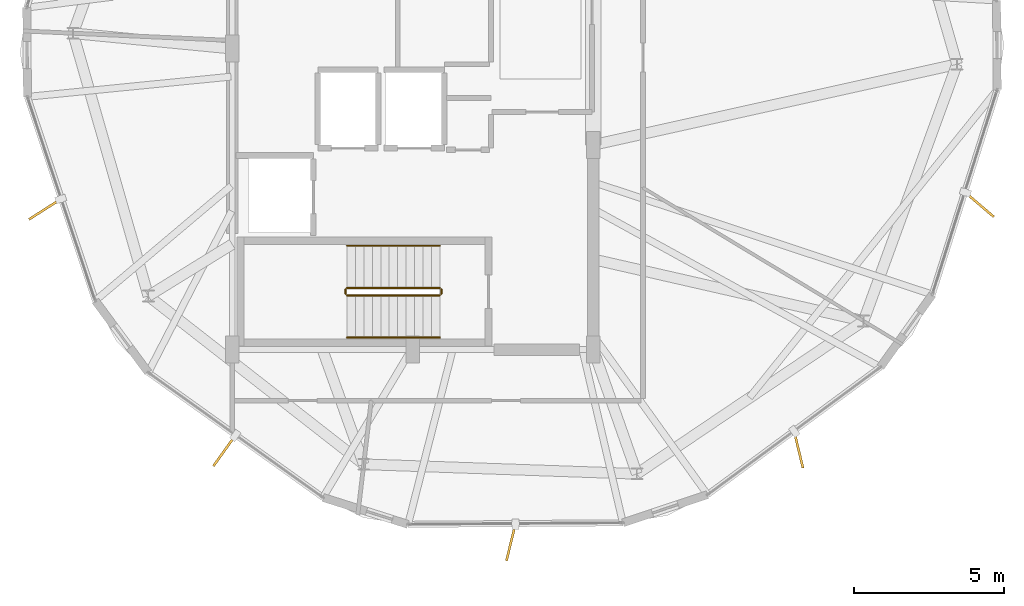
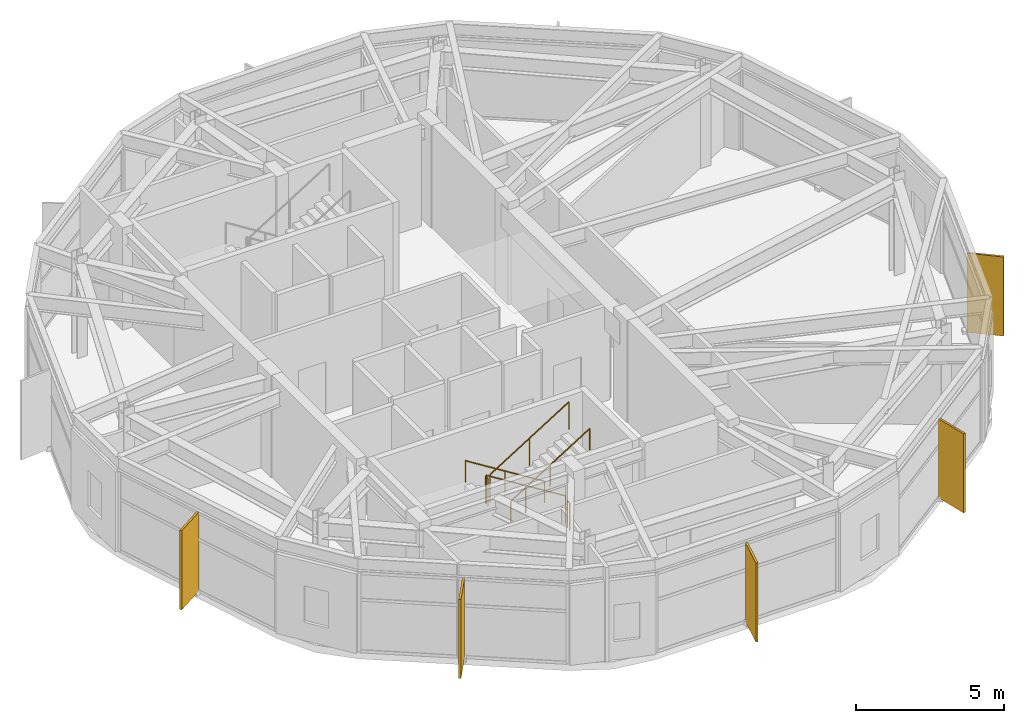
# One storey, part 20 of 22: 6 railings, 5 shading devices.
"""IFC4 building model written with IfcOpenShell, lengths in metres."""

from ifc_helpers import new_model, si_unit, direction, frame, origin, origin_2d, place, context, subcontext, project, spatial, rectangle, circle, extrude, material, layer, layer_set, type_object, element, save


model = new_model("IFC4")

# Units and contexts
model_context = context("Model", 3, precision=1e-05, world=origin(), true_north=direction((0.0, 1.0)))
body_context = subcontext(model_context, "Body", "Model", "MODEL_VIEW")
ifc_project = project(units=[si_unit("LENGTHUNIT", "METRE"), si_unit("AREAUNIT", "SQUARE_METRE"), si_unit("VOLUMEUNIT", "CUBIC_METRE"), si_unit("PLANEANGLEUNIT", "RADIAN"), si_unit("MASSUNIT", "GRAM", prefix="KILO")], contexts=[model_context])

# Site, building, storey
site_placement = place(None, origin())
site = spatial("IfcSite", under=ifc_project, at=site_placement, CompositionType="ELEMENT")
building_placement = place(site_placement, origin())
building = spatial("IfcBuilding", under=site, at=building_placement, Name="Soratama Intermodal Tower", CompositionType="ELEMENT")
storey_placement = place(building_placement, frame((0.0, 0.0, 301.449951171875)))
storey = spatial("IfcBuildingStorey", under=building, at=storey_placement, Name="L76", CompositionType="ELEMENT", Elevation=301.449951171875)

# Railings
ifc_material_1 = material(Name="Painted steel stair guardrail", Category="steel")
railing_type_1 = type_object("IfcRailingType", Name="RL-STAIR-GUARD", PredefinedType="GUARDRAIL", material=ifc_material_1)
railing_1_placement = place(storey_placement, frame((39.5, 17.050048828125, 0.175048828125)))
element("IfcRailing", 1, at=railing_1_placement, inside=storey, type_object=railing_type_1, Name="L76 ST-1 stair guard 1", PredefinedType="GUARDRAIL", context=body_context, shape_type="SweptSolid", body=[
    extrude(circle(Radius=0.02392578125, at=origin_2d()), frame((0.0, 0.0, 1.1259765625), z_axis=(-0.847998304005, 0.0, 0.529998940003), x_axis=(0.0, -1.0, 0.0)), (0.0, 0.0, 1.0), 3.632080078125),
    extrude(circle(Radius=0.02099609375, at=origin_2d()), origin(), (0.0, 0.0, 1.0), 1.101806640625),
    extrude(circle(Radius=0.02099609375, at=origin_2d()), frame((-1.5400390625, 0.0, 0.96240234375)), (0.0, 0.0, 1.0), 1.101806640625),
    extrude(circle(Radius=0.02099609375, at=origin_2d()), frame((-3.080078125, 0.0, 1.925048828125)), (0.0, 0.0, 1.0), 1.101806640625),
])
railing_2_placement = place(storey_placement, frame((36.3701171875, 17.0, 2.10009765625)))
element("IfcRailing", 2, at=railing_2_placement, inside=storey, type_object=railing_type_1, Name="L76 ST-1 stair guard 2", PredefinedType="GUARDRAIL", context=body_context, shape_type="SweptSolid", body=[
    extrude(circle(Radius=0.02392578125, at=origin_2d()), frame((0.0, 0.0, 1.1259765625), z_axis=(0.0, -1.0, 0.0), x_axis=(1.0, 0.0, 0.0)), (0.0, 0.0, 1.0), 0.14990234375),
    extrude(circle(Radius=0.02099609375, at=origin_2d()), origin(), (0.0, 0.0, 1.0), 1.101806640625),
    extrude(circle(Radius=0.02099609375, at=origin_2d()), frame((0.0, -0.14990234375, 0.0)), (0.0, 0.0, 1.0), 1.101806640625),
])
railing_3_placement = place(storey_placement, frame((36.419921875, 16.800048828125, 2.275146484375)))
element("IfcRailing", 3, at=railing_3_placement, inside=storey, type_object=railing_type_1, Name="L76 ST-1 stair guard 3", PredefinedType="GUARDRAIL", context=body_context, shape_type="SweptSolid", body=[
    extrude(circle(Radius=0.02392578125, at=origin_2d()), frame((0.0, 0.0, 1.1259765625), z_axis=(0.848028513186, 0.0, 0.529950602248), x_axis=(0.0, 1.0, 0.0)), (0.0, 0.0, 1.0), 3.632080078125),
    extrude(circle(Radius=0.02099609375, at=origin_2d()), origin(), (0.0, 0.0, 1.0), 1.101806640625),
    extrude(circle(Radius=0.02099609375, at=origin_2d()), frame((1.5400390625, 0.0, 0.96240234375)), (0.0, 0.0, 1.0), 1.101806640625),
    extrude(circle(Radius=0.02099609375, at=origin_2d()), frame((3.080078125, 0.0, 1.9248046875)), (0.0, 0.0, 1.0), 1.101806640625),
])
railing_4_placement = place(storey_placement, frame((39.550048828125, 17.0, 0.0)))
element("IfcRailing", 4, at=railing_4_placement, inside=storey, type_object=railing_type_1, Name="L76 ST-1 stair guard 4", PredefinedType="GUARDRAIL", context=body_context, shape_type="SweptSolid", body=[
    extrude(circle(Radius=0.02392578125, at=origin_2d()), frame((0.0, 0.0, 1.1259765625), z_axis=(0.0, -1.0, 0.0), x_axis=(1.0, 0.0, 0.0)), (0.0, 0.0, 1.0), 0.14990234375),
    extrude(circle(Radius=0.02099609375, at=origin_2d()), origin(), (0.0, 0.0, 1.0), 1.101806640625),
    extrude(circle(Radius=0.02099609375, at=origin_2d()), frame((0.0, -0.14990234375, 0.0)), (0.0, 0.0, 1.0), 1.101806640625),
])
ifc_material_2 = material(Name="Brushed stainless steel handrail", Category="steel")
railing_type_2 = type_object("IfcRailingType", Name="RL-STAIR-HAND", PredefinedType="HANDRAIL", material=ifc_material_2)
railing_5_placement = place(storey_placement, frame((39.5, 18.449951171875, 0.175048828125)))
element("IfcRailing", 5, at=railing_5_placement, inside=storey, type_object=railing_type_2, Name="L76 ST-1 stair handrail 1", PredefinedType="HANDRAIL", context=body_context, shape_type="SweptSolid", body=[
    extrude(circle(Radius=0.02392578125, at=origin_2d()), frame((0.0, 0.0, 0.8759765625), z_axis=(-0.847998304005, 0.0, 0.529998940003), x_axis=(0.0, -1.0, 0.0)), (0.0, 0.0, 1.0), 3.632080078125),
    extrude(circle(Radius=0.02099609375, at=origin_2d()), origin(), (0.0, 0.0, 1.0), 0.851806640625),
    extrude(circle(Radius=0.02099609375, at=origin_2d()), frame((-1.5400390625, 0.0, 0.96240234375)), (0.0, 0.0, 1.0), 0.851806640625),
    extrude(circle(Radius=0.02099609375, at=origin_2d()), frame((-3.080078125, 0.0, 1.925048828125)), (0.0, 0.0, 1.0), 0.851806640625),
])
railing_6_placement = place(storey_placement, frame((36.419921875, 15.39990234375, 2.275146484375)))
element("IfcRailing", 6, at=railing_6_placement, inside=storey, type_object=railing_type_2, Name="L76 ST-1 stair handrail 2", PredefinedType="HANDRAIL", context=body_context, shape_type="SweptSolid", body=[
    extrude(circle(Radius=0.02392578125, at=origin_2d()), frame((0.0, 0.0, 0.8759765625), z_axis=(0.848028513186, 0.0, 0.529950602248), x_axis=(0.0, 1.0, 0.0)), (0.0, 0.0, 1.0), 3.632080078125),
    extrude(circle(Radius=0.02099609375, at=origin_2d()), origin(), (0.0, 0.0, 1.0), 0.851806640625),
    extrude(circle(Radius=0.02099609375, at=origin_2d()), frame((1.5400390625, 0.0, 0.96240234375)), (0.0, 0.0, 1.0), 0.851806640625),
    extrude(circle(Radius=0.02099609375, at=origin_2d()), frame((3.080078125, 0.0, 1.9248046875)), (0.0, 0.0, 1.0), 0.851806640625),
])

# Shading devices
ifc_material_3 = material(Name="Champagne anodised aluminium solar fin", Category="aluminium")
ifc_layer = layer(ifc_material_3, 0.080078125)
ifc_layer_set = layer_set([ifc_layer], Name="Champagne anodised aluminium solar fin")
shading_device_type = type_object("IfcShadingDeviceType", Name="SH-FIN-1250", PredefinedType="USERDEFINED", material=ifc_layer_set)
for number, where, z_axis, x_axis, name in (
    (7, (26.37744140625, 19.66455078125, 0.02001953125), (0.0, 0.0, 1.0), (-0.843110000798, -0.537741133403, 0.0), "L76 Solar Fin F04-1"),
    (8, (32.3388671875, 11.63525390625, 0.02001953125), (0.0, 0.0, 1.0), (-0.581839108989, -0.813303910756, 0.0), "L76 Solar Fin F05-1"),
    (9, (41.863037109375, 8.586181640625, 0.02001953125), (0.0, 0.0, 1.0), (-0.236668575149, -0.971590441254, 0.0), "L76 Solar Fin F06-1"),
    (10, (51.4248046875, 11.6689453125, 0.02001953125), (0.0, 0.0, 1.0), (0.235142113103, -0.971961000579, 0.0), "L76 Solar Fin F07-1"),
    (11, (57.44140625, 19.8134765625, 0.02001953125), (0.0, 0.0, 1.0), (0.761425177676, -0.648252804699, 0.0), "L76 Solar Fin F08-1"),
):
    element("IfcShadingDevice", number, at=place(storey_placement, frame(where, z_axis=z_axis, x_axis=x_axis)), inside=storey, type_object=shading_device_type, Name=name, ObjectType="FIN", PredefinedType="USERDEFINED", context=body_context, shape_type="SweptSolid", body=[
        extrude(rectangle(XDim=1.25, YDim=0.080078125, at=origin_2d()), origin(), (0.0, 0.0, 1.0), 3.25390625),
    ])

save(model, "model.ifc")
